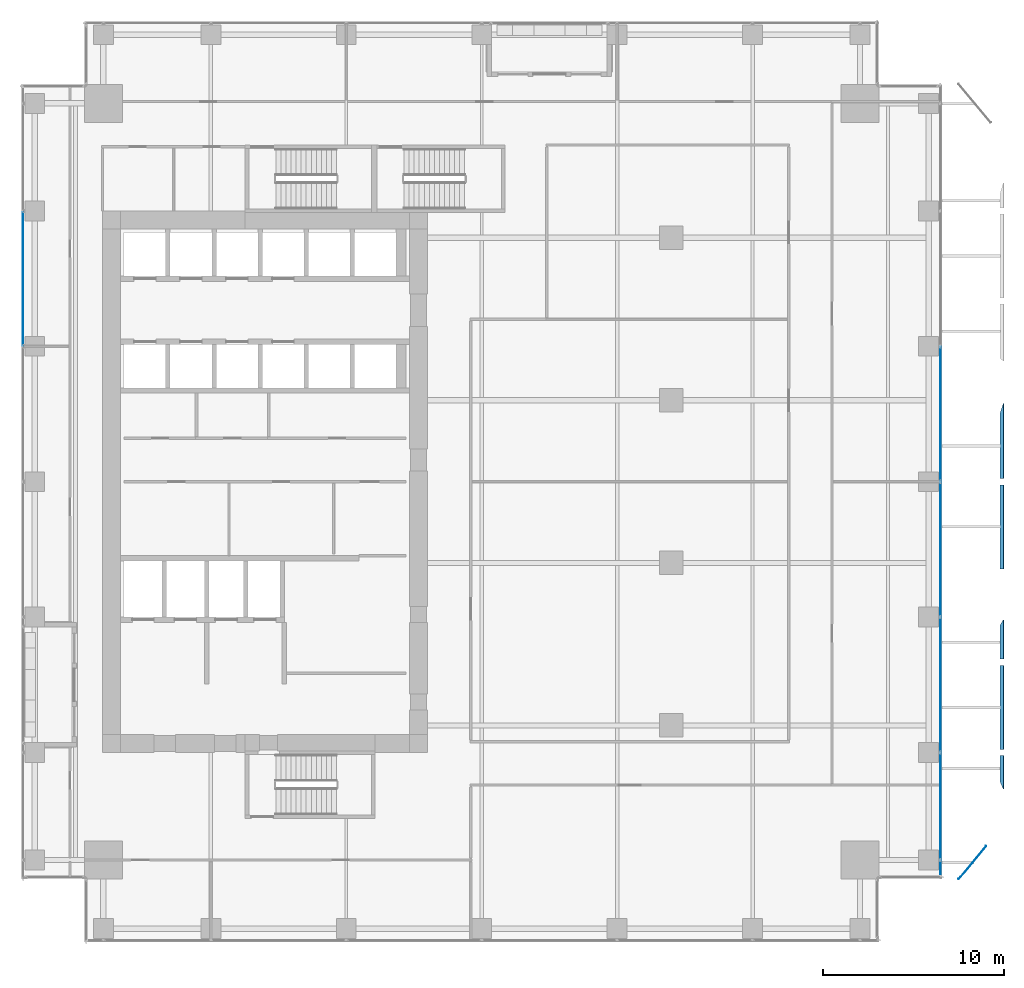
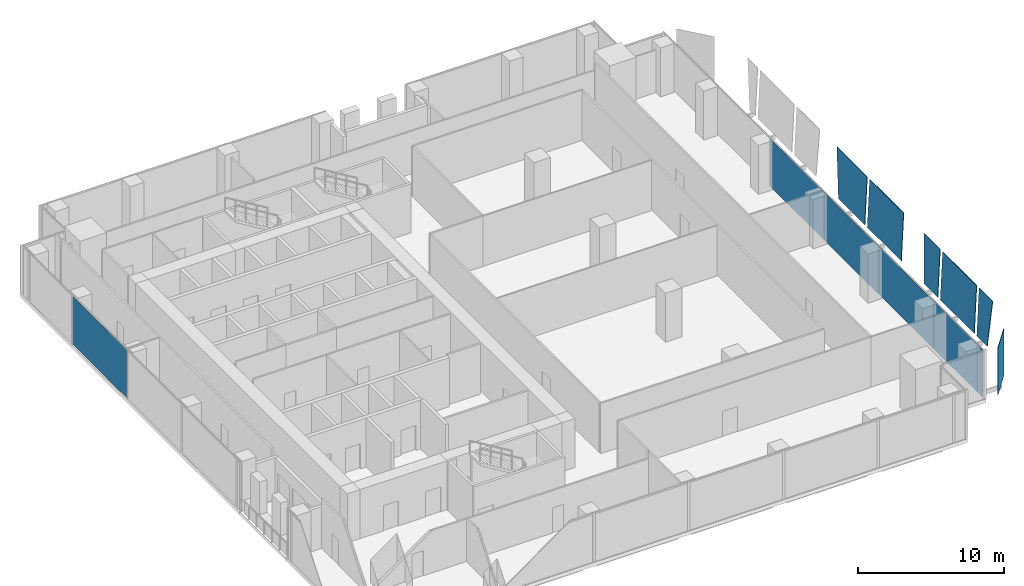
# One storey, part 24 of 33: 12 plates, 2 elements without a shape of their own.
"""IFC4 building model written with IfcOpenShell, lengths in metres."""

from ifc_helpers import new_model, si_unit, direction, frame, origin, origin_2d, place, context, subcontext, project, spatial, polyline, rectangle, outline, extrude, source, transform, mapped, material, layer, layer_set, type_object, element, aggregate, save


model = new_model("IFC4")

# Units and contexts
model_context = context("Model", 3, precision=1e-05, world=origin(), true_north=direction((0.0, 1.0)))
body_context = subcontext(model_context, "Body", "Model", "MODEL_VIEW")
ifc_project = project(units=[si_unit("LENGTHUNIT", "METRE"), si_unit("AREAUNIT", "SQUARE_METRE"), si_unit("VOLUMEUNIT", "CUBIC_METRE"), si_unit("PLANEANGLEUNIT", "RADIAN"), si_unit("MASSUNIT", "GRAM", prefix="KILO")], contexts=[model_context])

# Site, building, storey
site_placement = place(None, origin())
site = spatial("IfcSite", under=ifc_project, at=site_placement, CompositionType="ELEMENT")
building_placement = place(site_placement, origin())
building = spatial("IfcBuilding", under=site, at=building_placement, Name="Khomas Fold Tower", CompositionType="ELEMENT")
storey_placement = place(building_placement, frame((0.0, 0.0, 149.89990234375)))
storey = spatial("IfcBuildingStorey", under=building, at=storey_placement, Name="L32", CompositionType="ELEMENT", Elevation=149.89990234375)

# Plates
ifc_material_1 = material(Name="Clear laminated glass", Category="glass")
ifc_layer_1 = layer(ifc_material_1, 0.0400390625)
ifc_layer_set_1 = layer_set([ifc_layer_1], Name="Clear laminated glass")
plate_type_1 = type_object("IfcPlateType", Name="SK-Clear laminated glass leaf", PredefinedType="SHEET", material=ifc_layer_set_1)
plate_1_placement = place(storey_placement, frame((53.39990234375, 5.0, 0.0), z_axis=(-0.768204479018, 0.640204559822, 0.0), x_axis=(0.0, 0.0, 1.0)))
element("IfcPlate", 1, at=plate_1_placement, inside=storey, type_object=plate_type_1, Name="OUTER SKIN glass L32 EG098-1", PredefinedType="SHEET", context=body_context, shape_type="SweptSolid", body=[
    extrude(outline(polyline([(0.0, 0.0), (3.9501953125, 0.0), (3.9501953125, 2.3822799462709954), (0.0, 2.3822799462709954), (0.0, 0.0)])), origin(), (0.0, 0.0, -1.0), 0.0400390625),
])
plate_2_placement = place(storey_placement, frame((55.697509765625, 10.40087890625, 0.0), z_axis=(-0.998875389043, 0.0, 0.047412626625), x_axis=(0.047138638378, -0.107350883493, 0.993103084571)))
element("IfcPlate", 2, at=plate_2_placement, inside=storey, type_object=plate_type_1, Name="OUTER SKIN glass L32 EG099-2", PredefinedType="SHEET", context=body_context, shape_type="SweptSolid", body=[
    extrude(outline(polyline([(0.0, 0.0), (3.9776286811201396, 0.0), (3.7783638453787765, 1.8454745502734768), (-0.15342579882019453, 1.4209401574774343), (0.0, 0.0)])), origin(), (0.0, 0.0, -1.0), 0.0400390625),
])
plate_3_placement = place(storey_placement, frame((55.697509765625, 12.169921875, 0.0), z_axis=(-0.998875389043, 0.0, 0.047412626625), x_axis=(0.047412626625, 0.0, 0.998875389043)))
element("IfcPlate", 3, at=plate_3_placement, inside=storey, type_object=plate_type_1, Name="OUTER SKIN glass L32 EG100-3", PredefinedType="SHEET", context=body_context, shape_type="SweptSolid", body=[
    extrude(outline(polyline([(0.0, 0.0), (3.9546427470628713, 0.0), (3.9546427470628713, 4.66015625), (0.0, 4.66015625), (0.0, 0.0)])), origin(), (0.0, 0.0, -1.0), 0.0400390625),
])
plate_4_placement = place(storey_placement, frame((55.697509765625, 19.041015625, 0.0), z_axis=(-0.998875389043, 0.0, 0.047412626625), x_axis=(0.0, -1.0, 0.0)))
element("IfcPlate", 4, at=plate_4_placement, inside=storey, type_object=plate_type_1, Name="OUTER SKIN glass L32 EG101-4", PredefinedType="SHEET", context=body_context, shape_type="SweptSolid", body=[
    extrude(outline(polyline([(0.0, 0.0), (1.87109375, 0.0), (1.87109375, 3.954642747062871), (-0.310791015625, 3.954642747062871), (0.0, 0.0)])), origin(), (0.0, 0.0, -1.0), 0.0400390625),
])
plate_5_placement = place(storey_placement, frame((55.697509765625, 22.169921875, 0.0), z_axis=(-0.998875389043, 0.0, 0.047412626625), x_axis=(0.047412626625, 0.0, 0.998875389043)))
element("IfcPlate", 5, at=plate_5_placement, inside=storey, type_object=plate_type_1, Name="OUTER SKIN glass L32 EG102-5", PredefinedType="SHEET", context=body_context, shape_type="SweptSolid", body=[
    extrude(outline(polyline([(0.0, 0.0), (3.9546427470628713, 0.0), (3.9546427470628713, 4.66015625), (0.0, 4.66015625), (0.0, 0.0)])), origin(), (0.0, 0.0, -1.0), 0.0400390625),
])
plate_6_placement = place(storey_placement, frame((55.697509765625, 30.78515625, 0.0), z_axis=(-0.998875389043, 0.0, 0.047412626625), x_axis=(0.0, -1.0, 0.0)))
element("IfcPlate", 6, at=plate_6_placement, inside=storey, type_object=plate_type_1, Name="OUTER SKIN glass L32 EG103-6", PredefinedType="SHEET", context=body_context, shape_type="SweptSolid", body=[
    extrude(outline(polyline([(0.0, 0.0), (3.615234375, 0.0), (3.615234375, 3.9546427470628718), (-0.537841796875, 3.9546427470628718), (0.0, 0.0)])), origin(), (0.0, 0.0, -1.0), 0.0400390625),
])

# Curtain wall, plates
ifc_material_2 = material(Name="Aluminium framed double glazing", Category="aluminium")
curtain_wall_type = type_object("IfcCurtainWallType", Name="SK-Unitised clear-glass wall, growing floors CW1", PredefinedType="NOTDEFINED", material=ifc_material_2)
curtain_wall_1_placement = place(storey_placement, origin())
curtain_wall_1 = element("IfcCurtainWall", 7, at=curtain_wall_1_placement, inside=storey, type_object=curtain_wall_type, Name="CW1 run L32 03-0", PredefinedType="NOTDEFINED")
ifc_material_3 = material(Name="Clear double glazed unit")
ifc_layer_2 = layer(ifc_material_3, 0.031982421875)
ifc_layer_set_2 = layer_set([ifc_layer_2], Name="Clear double glazed unit")
plate_type_2 = type_object("IfcPlateType", Name="SK-Unitised clear-glass wall, growing floors glass panel CW1-P", PredefinedType="CURTAIN_PANEL", material=ifc_layer_set_2)
shared_shape_1 = source(origin(), body_context, "Body", "SweptSolid", [
    extrude(rectangle(XDim=0.760009765625, YDim=0.031982421875, at=origin_2d()), origin(), (0.0, 0.0, 1.0), 3.97998046875),
])
plate_7_placement = place(storey_placement, frame((52.39990234375, 5.639892578125, 0.0), z_axis=(0.0, 0.0, 1.0), x_axis=(0.0, 1.0, 0.0)))
plate_7 = element("IfcPlate", 8, at=plate_7_placement, type_object=plate_type_2, Name="CW1 glass panel 1", PredefinedType="CURTAIN_PANEL", context=body_context, shape_type="MappedRepresentation", body=[
    mapped(shared_shape_1, transform((0.0, 0.0, 0.0))),
])
shared_shape_2 = source(origin(), body_context, "Body", "SweptSolid", [
    extrude(rectangle(XDim=5.889892578125, YDim=0.031982421875, at=origin_2d()), origin(), (0.0, 0.0, 1.0), 3.97998046875),
])
plate_8_placement = place(storey_placement, frame((52.39990234375, 9.02490234375, 0.0), z_axis=(0.0, 0.0, 1.0), x_axis=(0.0, 1.0, 0.0)))
plate_8 = element("IfcPlate", 9, at=plate_8_placement, type_object=plate_type_2, Name="CW1 glass panel 2", PredefinedType="CURTAIN_PANEL", context=body_context, shape_type="MappedRepresentation", body=[
    mapped(shared_shape_2, transform((0.0, 0.0, 0.0))),
])
shared_shape_3 = source(origin(), body_context, "Body", "SweptSolid", [
    extrude(rectangle(XDim=7.43994140625, YDim=0.031982421875, at=origin_2d()), origin(), (0.0, 0.0, 1.0), 3.97998046875),
])
plate_9_placement = place(storey_placement, frame((52.39990234375, 15.75, 0.0), z_axis=(0.0, 0.0, 1.0), x_axis=(0.0, 1.0, 0.0)))
plate_9 = element("IfcPlate", 10, at=plate_9_placement, type_object=plate_type_2, Name="CW1 glass panel 3", PredefinedType="CURTAIN_PANEL", context=body_context, shape_type="MappedRepresentation", body=[
    mapped(shared_shape_3, transform((0.0, 0.0, 0.0))),
])
plate_10_placement = place(storey_placement, frame((52.39990234375, 23.25, 0.0), z_axis=(0.0, 0.0, 1.0), x_axis=(0.0, 1.0, 0.0)))
plate_10 = element("IfcPlate", 11, at=plate_10_placement, type_object=plate_type_2, Name="CW1 glass panel 4", PredefinedType="CURTAIN_PANEL", context=body_context, shape_type="MappedRepresentation", body=[
    mapped(shared_shape_3, transform((0.0, 0.0, 0.0))),
])
plate_11_placement = place(storey_placement, frame((52.39990234375, 30.75, 0.0), z_axis=(0.0, 0.0, 1.0), x_axis=(0.0, 1.0, 0.0)))
plate_11 = element("IfcPlate", 12, at=plate_11_placement, type_object=plate_type_2, Name="CW1 glass panel 5", PredefinedType="CURTAIN_PANEL", context=body_context, shape_type="MappedRepresentation", body=[
    mapped(shared_shape_3, transform((0.0, 0.0, 0.0))),
])
aggregate(curtain_wall_1, [plate_7, plate_8, plate_9, plate_10, plate_11])

# Curtain wall, plate
curtain_wall_2_placement = place(storey_placement, origin())
curtain_wall_2 = element("IfcCurtainWall", 13, at=curtain_wall_2_placement, inside=storey, type_object=curtain_wall_type, Name="CW1 run L32 09-0", PredefinedType="NOTDEFINED")
plate_12_placement = place(storey_placement, frame((1.60009765625, 38.25, 0.0), z_axis=(0.0, 0.0, 1.0), x_axis=(0.0, -1.0, 0.0)))
plate_12 = element("IfcPlate", 14, at=plate_12_placement, type_object=plate_type_2, Name="CW1 glass panel 3", PredefinedType="CURTAIN_PANEL", context=body_context, shape_type="MappedRepresentation", body=[
    mapped(shared_shape_3, transform((0.0, 0.0, 0.0))),
])
aggregate(curtain_wall_2, [plate_12])

save(model, "model.ifc")
